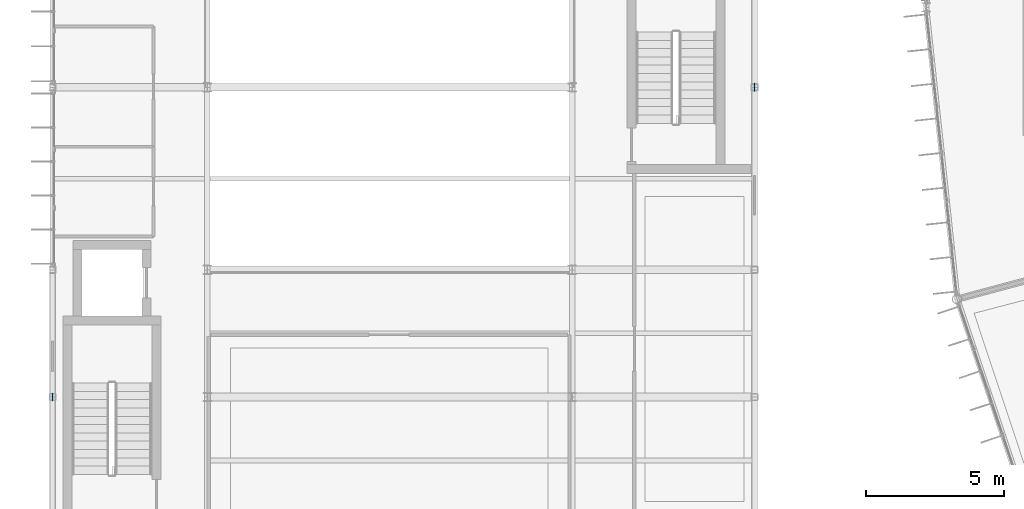
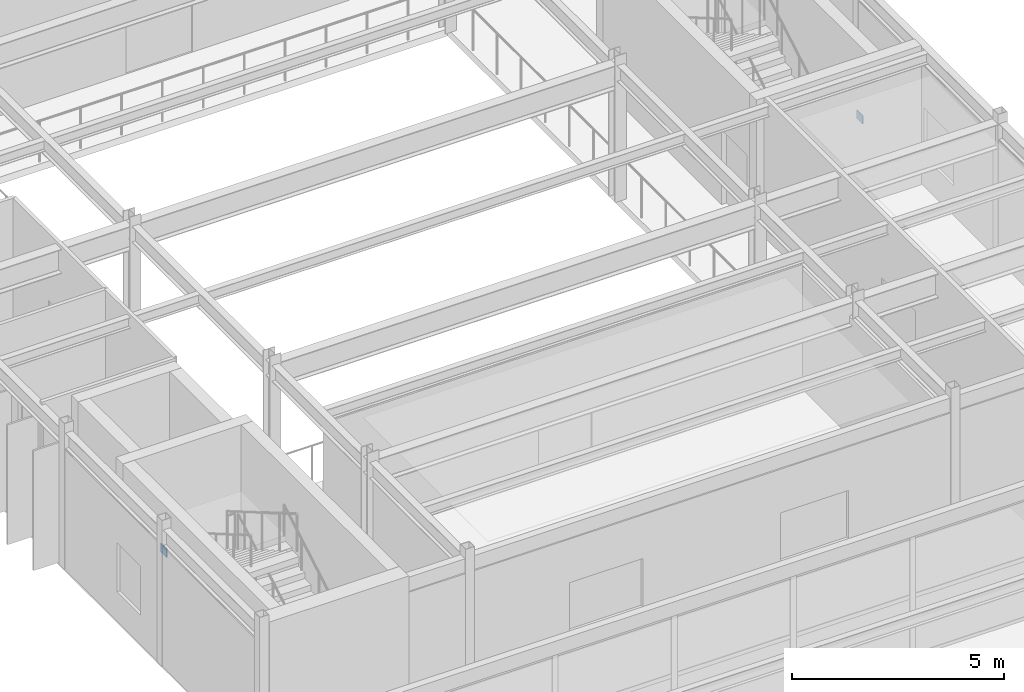
# One storey, part 111 of 147: 2 plates.
"""IFC4 building model written with IfcOpenShell, lengths in metres."""

from ifc_helpers import new_model, si_unit, direction, frame, origin, origin_2d, place, context, subcontext, project, spatial, rectangle, extrude, material, layer, layer_set, type_object, element, save


model = new_model("IFC4")

# Units and contexts
model_context = context("Model", 3, precision=1e-05, world=origin(), true_north=direction((0.0, 1.0)))
body_context = subcontext(model_context, "Body", "Model", "MODEL_VIEW")
ifc_project = project(units=[si_unit("LENGTHUNIT", "METRE"), si_unit("AREAUNIT", "SQUARE_METRE"), si_unit("VOLUMEUNIT", "CUBIC_METRE"), si_unit("PLANEANGLEUNIT", "RADIAN"), si_unit("MASSUNIT", "GRAM", prefix="KILO")], contexts=[model_context])

# Site, building, storey
site_placement = place(None, origin())
site = spatial("IfcSite", under=ifc_project, at=site_placement, CompositionType="ELEMENT")
building_placement = place(site_placement, origin())
building = spatial("IfcBuilding", under=site, at=building_placement, Name="Karori Crest Natural Sciences Institute", CompositionType="ELEMENT")
storey_placement = place(building_placement, frame((0.0, 0.0, 9.10009765625)))
storey = spatial("IfcBuildingStorey", under=building, at=storey_placement, Name="L02", CompositionType="ELEMENT", Elevation=9.10009765625)

# Plates
ifc_material = material(Name="Structural steel AS/NZS 3679.1 Grade 350", Category="steel")
ifc_layer = layer(ifc_material, 0.02490234375, Name="Structural steel AS/NZS 3679.1 Grade 350")
ifc_layer_set = layer_set([ifc_layer], Name="Structural steel AS/NZS 3679.1 Grade 350")
plate_type = type_object("IfcPlateType", Name="PLT-06-EL", PredefinedType="SHEET", material=ifc_layer_set)
for number, where, z_axis, x_axis, name in (
    (1, (1.800048828125, 35.800048828125, 3.10986328125), (0.0, 0.0, 1.0), (0.0, 1.0, 0.0), "Brace gusset plate EP-0250"),
    (2, (27.199951171875, 47.0, -0.10986328125), (0.0, 0.0, 1.0), (0.0, 1.0, 0.0), "Brace gusset plate EP-0251"),
):
    element("IfcPlate", number, at=place(storey_placement, frame(where, z_axis=z_axis, x_axis=x_axis)), inside=storey, type_object=plate_type, Name=name, PredefinedType="SHEET", context=body_context, shape_type="SweptSolid", body=[
        extrude(rectangle(XDim=0.280029296875, YDim=0.02490234375, at=origin_2d()), origin(), (0.0, 0.0, 1.0), 0.239990234375),
    ])

save(model, "model.ifc")
